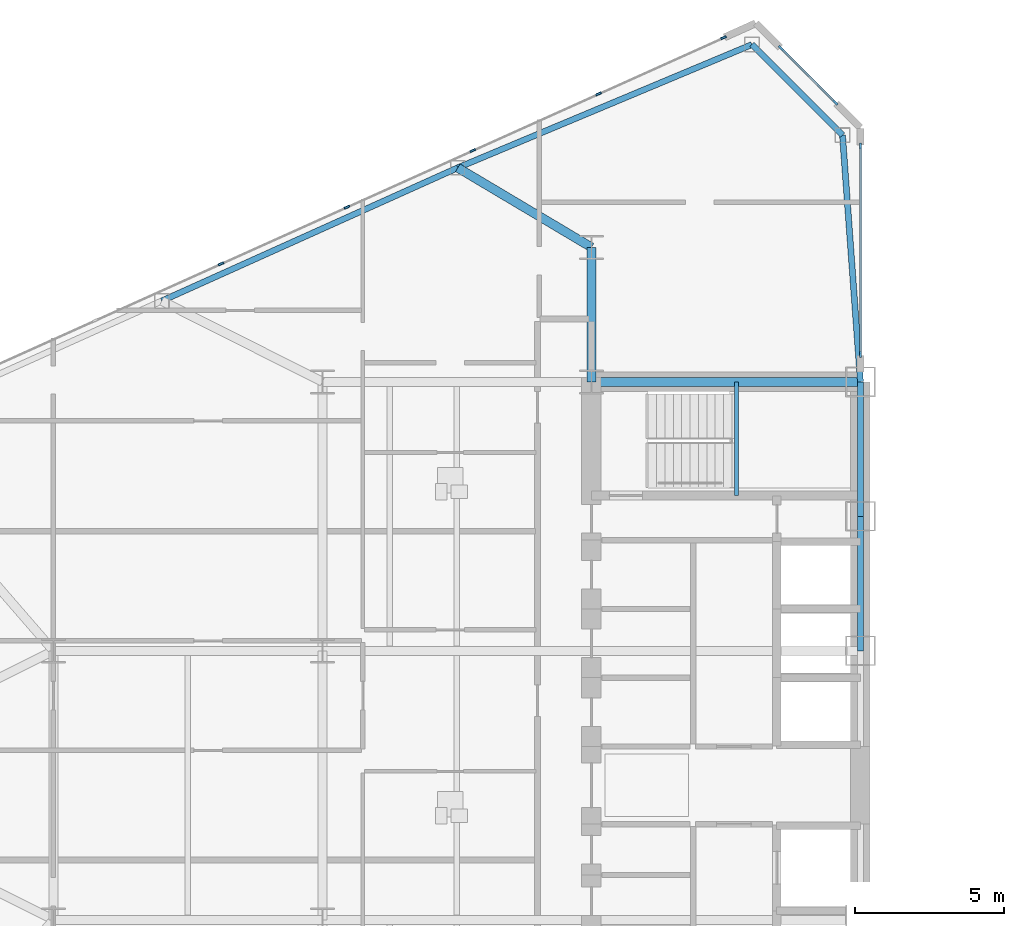
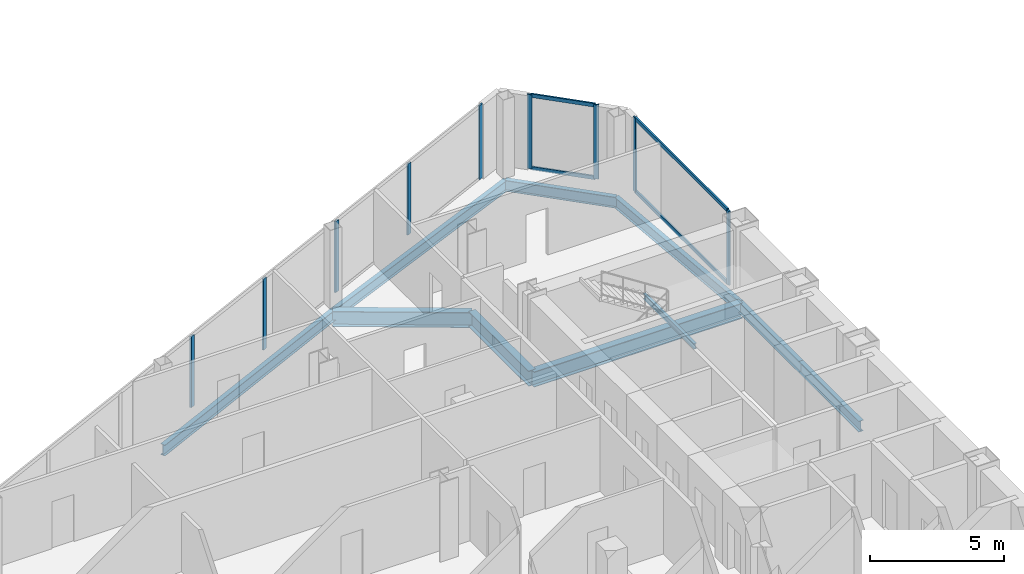
# One storey, part 9 of 27: 13 members, 10 beams, 3 elements without a shape of their own.
"""IFC4 building model written with IfcOpenShell, lengths in metres."""

from ifc_helpers import new_model, si_unit, direction, frame, origin, origin_2d, place, context, subcontext, project, spatial, rectangle, i_section, extrude, source, transform, mapped, material, layer, layer_set, material_profile, profile_set, type_object, type_shapes, element, aggregate, save


model = new_model("IFC4")

# Units and contexts
model_context = context("Model", 3, precision=1e-05, world=origin(), true_north=direction((0.0, 1.0)))
body_context = subcontext(model_context, "Body", "Model", "MODEL_VIEW")
ifc_project = project(units=[si_unit("LENGTHUNIT", "METRE"), si_unit("AREAUNIT", "SQUARE_METRE"), si_unit("VOLUMEUNIT", "CUBIC_METRE"), si_unit("PLANEANGLEUNIT", "RADIAN"), si_unit("MASSUNIT", "GRAM", prefix="KILO")], contexts=[model_context])

# Site, building, storey
site_placement = place(None, origin())
site = spatial("IfcSite", under=ifc_project, at=site_placement, CompositionType="ELEMENT")
building_placement = place(site_placement, origin())
building = spatial("IfcBuilding", under=site, at=building_placement, Name="Seokmaru Belvedere", CompositionType="ELEMENT")
storey_placement = place(building_placement, frame((0.0, 0.0, 99.60009765625)))
storey = spatial("IfcBuildingStorey", under=building, at=storey_placement, Name="L26", CompositionType="ELEMENT", Elevation=99.60009765625)

# Beams
ifc_material_1 = material(Name="Steel SM355 (355 MPa)", Category="steel")
ifc_material_profile_1 = material_profile(ifc_material_1, i_section(OverallWidth=0.199951171875, OverallDepth=0.5, WebThickness=0.010009765625, FlangeThickness=0.01611328125, at=origin_2d()), Name="H-500x200x10x16")
ifc_profile_set_1 = profile_set([ifc_material_profile_1], Name="Steel SM355 (355 MPa)")
beam_type_1 = type_object("IfcBeamType", Name="Perimeter Spandrel Beam H-500", PredefinedType="SPANDREL", material=ifc_profile_set_1)
shared_shape_1 = source(origin(), body_context, "Body", "SweptSolid", [
    extrude(i_section(OverallWidth=0.199951171875, OverallDepth=0.5, WebThickness=0.010009765625, FlangeThickness=0.01611328125, at=origin_2d()), origin(), (0.0, 0.0, 1.0), 4.5),
])
for number, where, z_axis, x_axis, name in (
    (1, (-27.5, 4.5, -0.47021484375), (0.0, 1.0, 0.0), (-1.0, 0.0, 0.0), "L26 W Portal Spine Spandrel 4"),
    (2, (-27.5, 9.0, -0.47021484375), (0.0, 1.0, 0.0), (-1.0, 0.0, 0.0), "L26 W Portal Spine Spandrel 5"),
):
    element("IfcBeam", number, at=place(storey_placement, frame(where, z_axis=z_axis, x_axis=x_axis)), inside=storey, type_object=beam_type_1, Name=name, PredefinedType="SPANDREL", context=body_context, shape_type="MappedRepresentation", body=[
        mapped(shared_shape_1, transform((0.0, 0.0, 0.0), scale=1.0)),
    ])
ifc_material_profile_2 = material_profile(ifc_material_1, i_section(OverallWidth=0.300048828125, OverallDepth=0.699951171875, WebThickness=0.012939453125, FlangeThickness=0.02392578125, at=origin_2d()), Name="H-700x300x13x24")
ifc_profile_set_2 = profile_set([ifc_material_profile_2], Name="Steel SM355 (355 MPa)")
beam_type_2 = type_object("IfcBeamType", Name="Primary Floor Girder H-700", PredefinedType="BEAM", material=ifc_profile_set_2)
shared_shape_2 = source(origin(), body_context, "Body", "SweptSolid", [
    extrude(i_section(OverallWidth=0.300048828125, OverallDepth=0.699951171875, WebThickness=0.012939453125, FlangeThickness=0.02392578125, at=origin_2d()), origin(), (0.0, 0.0, 1.0), 4.5),
])
beam_1_placement = place(storey_placement, frame((-36.5, 13.5, -0.570068359375), z_axis=(0.0, 1.0, 0.0), x_axis=(-1.0, 0.0, 0.0)))
element("IfcBeam", 3, at=beam_1_placement, inside=storey, type_object=beam_type_2, Name="L26 W Core Shoulder Girder N", PredefinedType="BEAM", context=body_context, shape_type="MappedRepresentation", body=[
    mapped(shared_shape_2, transform((0.0, 0.0, 0.0), scale=1.0)),
])
shared_shape_3 = source(origin(), body_context, "Body", "SweptSolid", [
    extrude(i_section(OverallWidth=0.300048828125, OverallDepth=0.699951171875, WebThickness=0.012939453125, FlangeThickness=0.02392578125, at=origin_2d()), origin(), (0.0, 0.0, 1.0), 9.0),
])
beam_2_placement = place(storey_placement, frame((-36.5, 13.5, -0.570068359375), z_axis=(1.0, 0.0, 0.0), x_axis=(0.0, 1.0, 0.0)))
element("IfcBeam", 4, at=beam_2_placement, inside=storey, type_object=beam_type_2, Name="L26 W Core Tie Girder 4", PredefinedType="BEAM", context=body_context, shape_type="MappedRepresentation", body=[
    mapped(shared_shape_3, transform((0.0, 0.0, 0.0), scale=1.0)),
])
shared_shape_4 = source(origin(), body_context, "Body", "SweptSolid", [
    extrude(i_section(OverallWidth=0.199951171875, OverallDepth=0.5, WebThickness=0.010009765625, FlangeThickness=0.01611328125, at=origin_2d()), origin(), (0.0, 0.0, 1.0), 10.66943359375),
])
beam_3_placement = place(storey_placement, frame((-31.13134765625, 24.782958984375, -0.47021484375), z_axis=(-0.922375393128, -0.386294750355, 0.0), x_axis=(0.386294750355, -0.922375393128, 0.0)))
element("IfcBeam", 5, at=beam_3_placement, inside=storey, type_object=beam_type_1, Name="L26 W Faceted Flank Spandrel N-1", PredefinedType="SPANDREL", context=body_context, shape_type="MappedRepresentation", body=[
    mapped(shared_shape_4, transform((0.0, 0.0, 0.0), scale=1.0)),
])
shared_shape_5 = source(origin(), body_context, "Body", "SweptSolid", [
    extrude(i_section(OverallWidth=0.199951171875, OverallDepth=0.5, WebThickness=0.010009765625, FlangeThickness=0.01611328125, at=origin_2d()), origin(), (0.0, 0.0, 1.0), 10.85888671875),
])
beam_4_placement = place(storey_placement, frame((-40.97265625, 20.661376953125, -0.47021484375), z_axis=(-0.911921505175, -0.410364677329, 0.0), x_axis=(0.410364677329, -0.911921505175, 0.0)))
element("IfcBeam", 6, at=beam_4_placement, inside=storey, type_object=beam_type_1, Name="L26 W Faceted Flank Spandrel N-2", PredefinedType="SPANDREL", context=body_context, shape_type="MappedRepresentation", body=[
    mapped(shared_shape_5, transform((0.0, 0.0, 0.0), scale=1.0)),
])
shared_shape_6 = source(origin(), body_context, "Body", "SweptSolid", [
    extrude(i_section(OverallWidth=0.199951171875, OverallDepth=0.5, WebThickness=0.010009765625, FlangeThickness=0.01611328125, at=origin_2d()), origin(), (0.0, 0.0, 1.0), 4.287109375),
])
beam_5_placement = place(storey_placement, frame((-31.13134765625, 24.782958984375, -0.47021484375), z_axis=(0.707078306132, -0.707135255094, 0.0), x_axis=(0.707135255094, 0.707078306132, 0.0)))
element("IfcBeam", 7, at=beam_5_placement, inside=storey, type_object=beam_type_1, Name="L26 W Shoulder Chamfer Spandrel N", PredefinedType="SPANDREL", context=body_context, shape_type="MappedRepresentation", body=[
    mapped(shared_shape_6, transform((0.0, 0.0, 0.0), scale=1.0)),
])
shared_shape_7 = source(origin(), body_context, "Body", "SweptSolid", [
    extrude(i_section(OverallWidth=0.199951171875, OverallDepth=0.5, WebThickness=0.010009765625, FlangeThickness=0.01611328125, at=origin_2d()), origin(), (0.0, 0.0, 1.0), 8.273193359375),
])
type_shapes(beam_type_1, [shared_shape_1, shared_shape_4, shared_shape_5, shared_shape_6, shared_shape_7])
beam_6_placement = place(storey_placement, frame((-28.10009765625, 21.75146484375, -0.47021484375), z_axis=(0.072534628348, -0.99736589459, 0.0), x_axis=(0.99736589459, 0.072534628348, 0.0)))
element("IfcBeam", 8, at=beam_6_placement, inside=storey, type_object=beam_type_1, Name="L26 W Shoulder Spine Spandrel N", PredefinedType="SPANDREL", context=body_context, shape_type="MappedRepresentation", body=[
    mapped(shared_shape_7, transform((0.0, 0.0, 0.0), scale=1.0)),
])
shared_shape_8 = source(origin(), body_context, "Body", "SweptSolid", [
    extrude(i_section(OverallWidth=0.300048828125, OverallDepth=0.699951171875, WebThickness=0.012939453125, FlangeThickness=0.02392578125, at=origin_2d()), origin(), (0.0, 0.0, 1.0), 5.20458984375),
])
type_shapes(beam_type_2, [shared_shape_2, shared_shape_3, shared_shape_8])
beam_7_placement = place(storey_placement, frame((-40.97265625, 20.661376953125, -0.570068359375), z_axis=(0.859370434188, -0.511353553662, 0.0), x_axis=(0.511353553662, 0.859370434188, 0.0)))
element("IfcBeam", 9, at=beam_7_placement, inside=storey, type_object=beam_type_2, Name="L26 W Flank Radial Floor Girder N-1", PredefinedType="BEAM", context=body_context, shape_type="MappedRepresentation", body=[
    mapped(shared_shape_8, transform((0.0, 0.0, 0.0), scale=1.0)),
])

# Curtain wall, members
ifc_material_2 = material(Name="Bronze Triple Insulating Glass", Category="glass")
ifc_layer = layer(ifc_material_2, 0.195068359375)
ifc_layer_set = layer_set([ifc_layer], Name="Bronze Triple Insulating Glass")
curtain_wall_type = type_object("IfcCurtainWallType", Name="Lower-Mid Tapered Curtain Wall System CW-3", PredefinedType="NOTDEFINED", material=ifc_layer_set)
curtain_wall_1_placement = place(storey_placement, origin())
curtain_wall_1 = element("IfcCurtainWall", 10, at=curtain_wall_1_placement, inside=storey, type_object=curtain_wall_type, Name="L26 Curtain Wall WSP_2", PredefinedType="NOTDEFINED")
ifc_material_3 = material(Name="Anodised Bronze Aluminium", Category="aluminium")
ifc_material_profile_3 = material_profile(ifc_material_3, rectangle(XDim=0.070068359375, YDim=0.195068359375, at=origin_2d()), Name="CW-M-70x195")
ifc_profile_set_3 = profile_set([ifc_material_profile_3], Name="Anodised Bronze Aluminium")
member_type_1 = type_object("IfcMemberType", Name="Bronze Unitised Mullion 70x195", PredefinedType="MULLION", material=ifc_profile_set_3)
shared_shape_9 = source(origin(), body_context, "Body", "SweptSolid", [
    extrude(rectangle(XDim=0.070068359375, YDim=0.195068359375, at=origin_2d()), origin(), (0.0, 0.0, 1.0), 3.3798828125),
])
member_1_placement = place(storey_placement, frame((-27.5, 14.4150390625, 0.0), z_axis=(0.0, 0.0, 1.0), x_axis=(-1.0, 0.0, 0.0)))
member_1 = element("IfcMember", 11, at=member_1_placement, type_object=member_type_1, Name="CW:L26:WSP_2 Mullion 1", PredefinedType="MULLION", context=body_context, shape_type="MappedRepresentation", body=[
    mapped(shared_shape_9, transform((0.0, 0.0, 0.0), scale=1.0)),
])
member_2_placement = place(storey_placement, frame((-27.5, 21.39501953125, 0.0), z_axis=(0.0, 0.0, 1.0), x_axis=(-1.0, 0.0, 0.0)))
member_2 = element("IfcMember", 12, at=member_2_placement, type_object=member_type_1, Name="CW:L26:WSP_2 Mullion 2", PredefinedType="MULLION", context=body_context, shape_type="MappedRepresentation", body=[
    mapped(shared_shape_9, transform((0.0, 0.0, 0.0), scale=1.0)),
])

curtain_wall_2_placement = place(storey_placement, origin())
curtain_wall_2 = element("IfcCurtainWall", 13, at=curtain_wall_2_placement, inside=storey, type_object=curtain_wall_type, Name="L26 Curtain Wall WF2", PredefinedType="NOTDEFINED")
member_3_placement = place(storey_placement, frame((-28.337890625, 22.837890625, 0.0), z_axis=(0.0, 0.0, 1.0), x_axis=(-0.707106781187, -0.707106781187, 0.0)))
member_3 = element("IfcMember", 14, at=member_3_placement, type_object=member_type_1, Name="CW:L26:WF2 Mullion 1", PredefinedType="MULLION", context=body_context, shape_type="MappedRepresentation", body=[
    mapped(shared_shape_9, transform((0.0, 0.0, 0.0), scale=1.0)),
])
member_4_placement = place(storey_placement, frame((-30.162109375, 24.662109375, 0.0), z_axis=(0.0, 0.0, 1.0), x_axis=(-0.707106781187, -0.707106781187, 0.0)))
member_4 = element("IfcMember", 15, at=member_4_placement, type_object=member_type_1, Name="CW:L26:WF2 Mullion 2", PredefinedType="MULLION", context=body_context, shape_type="MappedRepresentation", body=[
    mapped(shared_shape_9, transform((0.0, 0.0, 0.0), scale=1.0)),
])

# Curtain wall, member
curtain_wall_3_placement = place(storey_placement, origin())
curtain_wall_3 = element("IfcCurtainWall", 16, at=curtain_wall_3_placement, inside=storey, type_object=curtain_wall_type, Name="L26 Curtain Wall WF3", PredefinedType="NOTDEFINED")
member_5_placement = place(storey_placement, frame((-32.08056640625, 25.013671875, 0.0), z_axis=(0.0, 0.0, 1.0), x_axis=(0.41036554765, -0.91192111353, 0.0)))
member_5 = element("IfcMember", 17, at=member_5_placement, type_object=member_type_1, Name="CW:L26:WF3 Mullion 1", PredefinedType="MULLION", context=body_context, shape_type="MappedRepresentation", body=[
    mapped(shared_shape_9, transform((0.0, 0.0, 0.0), scale=1.0)),
])

# Member
ifc_material_profile_4 = material_profile(ifc_material_3, rectangle(XDim=0.070068359375, YDim=0.1650390625, at=origin_2d()), Name="CW-T-70x165")
ifc_profile_set_4 = profile_set([ifc_material_profile_4], Name="Anodised Bronze Aluminium")
member_type_2 = type_object("IfcMemberType", Name="Bronze Unitised Transom 70x165", PredefinedType="USERDEFINED", material=ifc_profile_set_4)
shared_shape_10 = source(origin(), body_context, "Body", "SweptSolid", [
    extrude(rectangle(XDim=0.070068359375, YDim=0.1650390625, at=origin_2d()), origin(), (0.0, 0.0, 1.0), 6.91015625),
])
member_6_placement = place(storey_placement, frame((-27.5, 14.449951171875, 0.034912109375), z_axis=(0.0, 1.0, 0.0), x_axis=(-1.0, 0.0, 0.0)))
member_6 = element("IfcMember", 18, at=member_6_placement, type_object=member_type_2, Name="CW:L26:WSP_2 Continuous Transom 1", ObjectType="TRANSOM", PredefinedType="USERDEFINED", context=body_context, shape_type="MappedRepresentation", body=[
    mapped(shared_shape_10, transform((0.0, 0.0, 0.0), scale=1.0)),
])

member_7_placement = place(storey_placement, frame((-27.5, 14.449951171875, 3.344970703125), z_axis=(0.0, 1.0, 0.0), x_axis=(-1.0, 0.0, 0.0)))
member_7 = element("IfcMember", 19, at=member_7_placement, type_object=member_type_2, Name="CW:L26:WSP_2 Continuous Transom 2", ObjectType="TRANSOM", PredefinedType="USERDEFINED", context=body_context, shape_type="MappedRepresentation", body=[
    mapped(shared_shape_10, transform((0.0, 0.0, 0.0), scale=1.0)),
])

aggregate(curtain_wall_1, [member_1, member_2, member_6, member_7])

shared_shape_11 = source(origin(), body_context, "Body", "SweptSolid", [
    extrude(rectangle(XDim=0.070068359375, YDim=0.1650390625, at=origin_2d()), origin(), (0.0, 0.0, 1.0), 2.509521484375),
])
type_shapes(member_type_2, [shared_shape_10, shared_shape_11])
member_8_placement = place(storey_placement, frame((-28.36279296875, 22.86279296875, 0.034912109375), z_axis=(-0.707106781187, 0.707106781187, 0.0), x_axis=(-0.707106781187, -0.707106781187, 0.0)))
member_8 = element("IfcMember", 20, at=member_8_placement, type_object=member_type_2, Name="CW:L26:WF2 Continuous Transom 1", ObjectType="TRANSOM", PredefinedType="USERDEFINED", context=body_context, shape_type="MappedRepresentation", body=[
    mapped(shared_shape_11, transform((0.0, 0.0, 0.0), scale=1.0)),
])

member_9_placement = place(storey_placement, frame((-28.36279296875, 22.86279296875, 3.344970703125), z_axis=(-0.707106781187, 0.707106781187, 0.0), x_axis=(-0.707106781187, -0.707106781187, 0.0)))
member_9 = element("IfcMember", 21, at=member_9_placement, type_object=member_type_2, Name="CW:L26:WF2 Continuous Transom 2", ObjectType="TRANSOM", PredefinedType="USERDEFINED", context=body_context, shape_type="MappedRepresentation", body=[
    mapped(shared_shape_11, transform((0.0, 0.0, 0.0), scale=1.0)),
])

aggregate(curtain_wall_2, [member_3, member_4, member_8, member_9])

shared_shape_12 = source(origin(), body_context, "Body", "SweptSolid", [
    extrude(rectangle(XDim=0.070068359375, YDim=0.195068359375, at=origin_2d()), origin(), (0.0, 0.0, 1.0), 3.239990234375),
])
type_shapes(member_type_1, [shared_shape_9, shared_shape_12])
member_10_placement = place(storey_placement, frame((-36.260009765625, 23.133056640625, 0.06982421875), z_axis=(0.0, 0.0, 1.0), x_axis=(0.41036554765, -0.91192111353, 0.0)))
member_10 = element("IfcMember", 22, at=member_10_placement, type_object=member_type_1, Name="CW:L26:WF3 Mullion 2", PredefinedType="MULLION", context=body_context, shape_type="MappedRepresentation", body=[
    mapped(shared_shape_12, transform((0.0, 0.0, 0.0), scale=1.0)),
])

member_11_placement = place(storey_placement, frame((-40.471435546875, 21.23779296875, 0.06982421875), z_axis=(0.0, 0.0, 1.0), x_axis=(0.41036554765, -0.91192111353, 0.0)))
member_11 = element("IfcMember", 23, at=member_11_placement, type_object=member_type_1, Name="CW:L26:WF3 Mullion 3", PredefinedType="MULLION", context=body_context, shape_type="MappedRepresentation", body=[
    mapped(shared_shape_12, transform((0.0, 0.0, 0.0), scale=1.0)),
])

member_12_placement = place(storey_placement, frame((-44.682861328125, 19.3427734375, 0.06982421875), z_axis=(0.0, 0.0, 1.0), x_axis=(0.41036554765, -0.91192111353, 0.0)))
member_12 = element("IfcMember", 24, at=member_12_placement, type_object=member_type_1, Name="CW:L26:WF3 Mullion 4", PredefinedType="MULLION", context=body_context, shape_type="MappedRepresentation", body=[
    mapped(shared_shape_12, transform((0.0, 0.0, 0.0), scale=1.0)),
])

member_13_placement = place(storey_placement, frame((-48.894287109375, 17.447509765625, 0.06982421875), z_axis=(0.0, 0.0, 1.0), x_axis=(0.41036554765, -0.91192111353, 0.0)))
member_13 = element("IfcMember", 25, at=member_13_placement, type_object=member_type_1, Name="CW:L26:WF3 Mullion 5", PredefinedType="MULLION", context=body_context, shape_type="MappedRepresentation", body=[
    mapped(shared_shape_12, transform((0.0, 0.0, 0.0), scale=1.0)),
])

aggregate(curtain_wall_3, [member_5, member_10, member_11, member_12, member_13])

# Beam
ifc_material_profile_5 = material_profile(ifc_material_1, i_section(OverallWidth=0.125, OverallDepth=0.25, WebThickness=0.006103515625, FlangeThickness=0.009033203125, at=origin_2d()), Name="H-250x125x6x9")
ifc_profile_set_5 = profile_set([ifc_material_profile_5], Name="Steel SM355 (355 MPa)")
beam_type_3 = type_object("IfcBeamType", Name="Stair Mid-Landing Support Beam H-250", PredefinedType="JOIST", material=ifc_profile_set_5)
shared_shape_13 = source(origin(), body_context, "Body", "SweptSolid", [
    extrude(i_section(OverallWidth=0.125, OverallDepth=0.25, WebThickness=0.006103515625, FlangeThickness=0.009033203125, at=origin_2d()), origin(), (0.0, 0.0, 1.0), 3.800048828125),
])
type_shapes(beam_type_3, [shared_shape_13])
beam_8_placement = place(storey_placement, frame((-31.64990234375, 9.699951171875, 1.474853515625), z_axis=(0.0, 1.0, 0.0), x_axis=(-1.0, 0.0, 0.0)))
element("IfcBeam", 26, at=beam_8_placement, inside=storey, type_object=beam_type_3, Name="L26 Stair ST-W2 Mid-Landing Support Beam 1", PredefinedType="JOIST", context=body_context, shape_type="MappedRepresentation", body=[
    mapped(shared_shape_13, transform((0.0, 0.0, 0.0), scale=1.0)),
])

save(model, "model.ifc")
